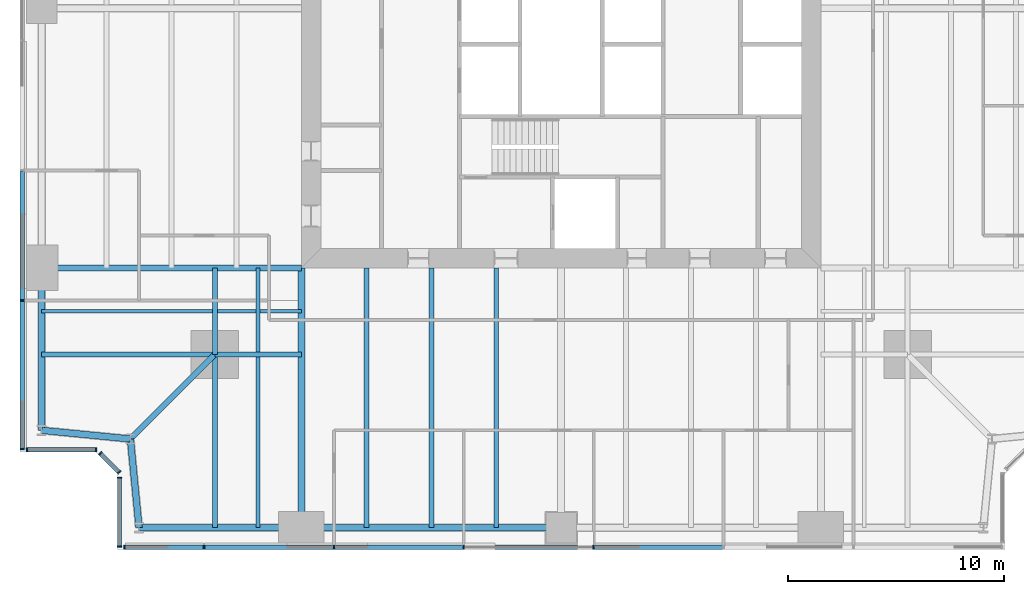
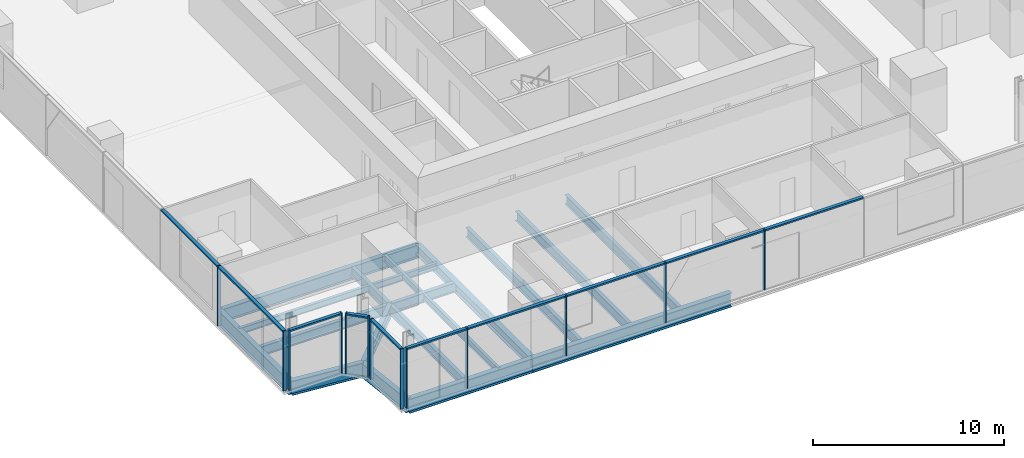
# One storey, part 2 of 13: 23 members, 20 beams, 5 elements without a shape of their own.
"""IFC4 building model written with IfcOpenShell, lengths in metres."""

from ifc_helpers import new_model, si_unit, direction, frame, origin, origin_2d, place, context, subcontext, project, spatial, rectangle, i_section, extrude, material, material_profile, profile_set, type_object, element, aggregate, save


model = new_model("IFC4")

# Units and contexts
model_context = context("Model", 3, precision=1e-05, world=origin(), true_north=direction((0.0, 1.0)))
body_context = subcontext(model_context, "Body", "Model", "MODEL_VIEW")
ifc_project = project(units=[si_unit("LENGTHUNIT", "METRE"), si_unit("AREAUNIT", "SQUARE_METRE"), si_unit("VOLUMEUNIT", "CUBIC_METRE"), si_unit("PLANEANGLEUNIT", "RADIAN"), si_unit("MASSUNIT", "GRAM", prefix="KILO")], contexts=[model_context])

# Site, building, storey
site_placement = place(None, origin())
site = spatial("IfcSite", under=ifc_project, at=site_placement, CompositionType="ELEMENT")
building_placement = place(site_placement, origin())
building = spatial("IfcBuilding", under=site, at=building_placement, Name="Fenwick Lantern Interchange", CompositionType="ELEMENT")
storey_placement = place(building_placement, frame((0.0, 0.0, 102.39990234375)))
storey = spatial("IfcBuildingStorey", under=building, at=storey_placement, Name="L23", CompositionType="ELEMENT", Elevation=102.39990234375)

# Beams
ifc_material_1 = material(Name="Steel ASTM A992 Grade 50", Category="steel")
ifc_material_profile_1 = material_profile(ifc_material_1, i_section(OverallWidth=0.3046875, OverallDepth=0.911865234375, WebThickness=0.015869140625, FlangeThickness=0.02392578125, at=origin_2d()), Name="W36X150")
ifc_profile_set_1 = profile_set([ifc_material_profile_1], Name="Steel ASTM A992 Grade 50")
beam_type_1 = type_object("IfcBeamType", Name="EDGE BEAM W36X150", PredefinedType="SPANDREL", material=ifc_profile_set_1)
beam_1_placement = place(storey_placement, frame((5.5, 1.0, -0.605712890625), z_axis=(1.0, 0.0, 0.0), x_axis=(0.0, 1.0, 0.0)))
element("IfcBeam", 1, at=beam_1_placement, inside=storey, type_object=beam_type_1, Name="L23/FR/S/EB1", PredefinedType="SPANDREL", context=body_context, shape_type="SweptSolid", body=[
    extrude(i_section(OverallWidth=0.3046875, OverallDepth=0.911865234375, WebThickness=0.015869140625, FlangeThickness=0.02392578125, at=origin_2d()), origin(), (0.0, 0.0, 1.0), 7.5),
])
beam_2_placement = place(storey_placement, frame((13.0, 1.0, -0.605712890625), z_axis=(1.0, 0.0, 0.0), x_axis=(0.0, 1.0, 0.0)))
element("IfcBeam", 2, at=beam_2_placement, inside=storey, type_object=beam_type_1, Name="L23/FR/S/EB2", PredefinedType="SPANDREL", context=body_context, shape_type="SweptSolid", body=[
    extrude(i_section(OverallWidth=0.3046875, OverallDepth=0.911865234375, WebThickness=0.015869140625, FlangeThickness=0.02392578125, at=origin_2d()), origin(), (0.0, 0.0, 1.0), 12.0),
])
beam_3_placement = place(storey_placement, frame((1.0, 13.0, -0.605712890625), z_axis=(0.0, -1.0, 0.0), x_axis=(1.0, 0.0, 0.0)))
element("IfcBeam", 3, at=beam_3_placement, inside=storey, type_object=beam_type_1, Name="L23/FR/W/EB4", PredefinedType="SPANDREL", context=body_context, shape_type="SweptSolid", body=[
    extrude(i_section(OverallWidth=0.3046875, OverallDepth=0.911865234375, WebThickness=0.015869140625, FlangeThickness=0.02392578125, at=origin_2d()), origin(), (0.0, 0.0, 1.0), 7.5),
])
for number, where, z_axis, x_axis, name in (
    (4, (1.0, 5.5, -0.605712890625), (0.995277148028, -0.097074191287, 0.0), (0.097074191287, 0.995277148028, 0.0), "L23/FR/W/EBR1"),
    (5, (5.10009765625, 5.10009765625, -0.605712890625), (0.097074191287, -0.995277148028, 0.0), (0.995277148028, 0.097074191287, 0.0), "L23/FR/W/EBR2"),
):
    element("IfcBeam", number, at=place(storey_placement, frame(where, z_axis=z_axis, x_axis=x_axis)), inside=storey, type_object=beam_type_1, Name=name, PredefinedType="SPANDREL", context=body_context, shape_type="SweptSolid", body=[
        extrude(i_section(OverallWidth=0.3046875, OverallDepth=0.911865234375, WebThickness=0.015869140625, FlangeThickness=0.02392578125, at=origin_2d()), origin(), (0.0, 0.0, 1.0), 4.11962890625),
    ])
ifc_material_profile_2 = material_profile(ifc_material_1, i_section(OverallWidth=0.22900390625, OverallDepth=0.612060546875, WebThickness=0.011962890625, FlangeThickness=0.01953125, at=origin_2d()), Name="W24X84")
ifc_profile_set_2 = profile_set([ifc_material_profile_2], Name="Steel ASTM A992 Grade 50")
beam_type_2 = type_object("IfcBeamType", Name="FLOOR BEAM W24X84", PredefinedType="BEAM", material=ifc_profile_set_2)
for number, where, z_axis, x_axis, name in (
    (6, (16.0, 1.0, -0.4560546875), (0.0, 1.0, 0.0), (-1.0, 0.0, 0.0), "L23/FR/S/R02"),
    (7, (19.0, 1.0, -0.4560546875), (0.0, 1.0, 0.0), (-1.0, 0.0, 0.0), "L23/FR/S/R03"),
    (8, (22.0, 1.0, -0.4560546875), (0.0, 1.0, 0.0), (-1.0, 0.0, 0.0), "L23/FR/S/R04"),
):
    element("IfcBeam", number, at=place(storey_placement, frame(where, z_axis=z_axis, x_axis=x_axis)), inside=storey, type_object=beam_type_2, Name=name, PredefinedType="BEAM", context=body_context, shape_type="SweptSolid", body=[
        extrude(i_section(OverallWidth=0.22900390625, OverallDepth=0.612060546875, WebThickness=0.011962890625, FlangeThickness=0.01953125, at=origin_2d()), origin(), (0.0, 0.0, 1.0), 12.0),
    ])
ifc_material_profile_3 = material_profile(ifc_material_1, i_section(OverallWidth=0.177734375, OverallDepth=0.406494140625, WebThickness=0.0078125, FlangeThickness=0.012939453125, at=origin_2d()), Name="W16X40")
ifc_profile_set_3 = profile_set([ifc_material_profile_3], Name="Steel ASTM A992 Grade 50")
beam_type_3 = type_object("IfcBeamType", Name="INFILL BEAM W16X40", PredefinedType="JOIST", material=ifc_profile_set_3)
beam_4_placement = place(storey_placement, frame((11.0, 1.0, -0.35302734375), z_axis=(0.0, 1.0, 0.0), x_axis=(-1.0, 0.0, 0.0)))
element("IfcBeam", 9, at=beam_4_placement, inside=storey, type_object=beam_type_3, Name="L23/FR/S/J1", PredefinedType="JOIST", context=body_context, shape_type="SweptSolid", body=[
    extrude(i_section(OverallWidth=0.177734375, OverallDepth=0.406494140625, WebThickness=0.0078125, FlangeThickness=0.012939453125, at=origin_2d()), origin(), (0.0, 0.0, 1.0), 7.885498046875),
])
beam_5_placement = place(storey_placement, frame((11.0, 9.114501953125, -0.35302734375), z_axis=(0.0, 1.0, 0.0), x_axis=(-1.0, 0.0, 0.0)))
element("IfcBeam", 10, at=beam_5_placement, inside=storey, type_object=beam_type_3, Name="L23/FR/S/J2", PredefinedType="JOIST", context=body_context, shape_type="SweptSolid", body=[
    extrude(i_section(OverallWidth=0.177734375, OverallDepth=0.406494140625, WebThickness=0.0078125, FlangeThickness=0.012939453125, at=origin_2d()), origin(), (0.0, 0.0, 1.0), 3.885498046875),
])
beam_6_placement = place(storey_placement, frame((1.0, 11.0, -0.35302734375), z_axis=(1.0, 0.0, 0.0), x_axis=(0.0, 1.0, 0.0)))
element("IfcBeam", 11, at=beam_6_placement, inside=storey, type_object=beam_type_3, Name="L23/FR/S/J3", PredefinedType="JOIST", context=body_context, shape_type="SweptSolid", body=[
    extrude(i_section(OverallWidth=0.177734375, OverallDepth=0.406494140625, WebThickness=0.0078125, FlangeThickness=0.012939453125, at=origin_2d()), origin(), (0.0, 0.0, 1.0), 7.885498046875),
])
beam_7_placement = place(storey_placement, frame((9.114501953125, 11.0, -0.35302734375), z_axis=(1.0, 0.0, 0.0), x_axis=(0.0, 1.0, 0.0)))
element("IfcBeam", 12, at=beam_7_placement, inside=storey, type_object=beam_type_3, Name="L23/FR/S/J4", PredefinedType="JOIST", context=body_context, shape_type="SweptSolid", body=[
    extrude(i_section(OverallWidth=0.177734375, OverallDepth=0.406494140625, WebThickness=0.0078125, FlangeThickness=0.012939453125, at=origin_2d()), origin(), (0.0, 0.0, 1.0), 1.796630859375),
])
beam_8_placement = place(storey_placement, frame((11.0888671875, 11.0, -0.35302734375), z_axis=(1.0, 0.0, 0.0), x_axis=(0.0, 1.0, 0.0)))
element("IfcBeam", 13, at=beam_8_placement, inside=storey, type_object=beam_type_3, Name="L23/FR/S/J5", PredefinedType="JOIST", context=body_context, shape_type="SweptSolid", body=[
    extrude(i_section(OverallWidth=0.177734375, OverallDepth=0.406494140625, WebThickness=0.0078125, FlangeThickness=0.012939453125, at=origin_2d()), origin(), (0.0, 0.0, 1.0), 1.9111328125),
])
ifc_material_profile_4 = material_profile(ifc_material_1, i_section(OverallWidth=0.22900390625, OverallDepth=0.612060546875, WebThickness=0.011962890625, FlangeThickness=0.01953125, at=origin_2d()), Name="W24X84")
ifc_profile_set_4 = profile_set([ifc_material_profile_4], Name="Steel ASTM A992 Grade 50")
beam_type_4 = type_object("IfcBeamType", Name="MEGA COLUMN BEAM W24X84", PredefinedType="BEAM", material=ifc_profile_set_4)
for number, where, z_axis, x_axis, name in (
    (14, (9.0, 9.0, -0.4560546875), (0.0, -1.0, 0.0), (1.0, 0.0, 0.0), "L23/FR/S/MB1"),
    (15, (9.0, 9.0, -0.4560546875), (-1.0, 0.0, 0.0), (0.0, -1.0, 0.0), "L23/FR/S/MB2"),
):
    element("IfcBeam", number, at=place(storey_placement, frame(where, z_axis=z_axis, x_axis=x_axis)), inside=storey, type_object=beam_type_4, Name=name, PredefinedType="BEAM", context=body_context, shape_type="SweptSolid", body=[
        extrude(i_section(OverallWidth=0.22900390625, OverallDepth=0.612060546875, WebThickness=0.011962890625, FlangeThickness=0.01953125, at=origin_2d()), origin(), (0.0, 0.0, 1.0), 8.0),
    ])
for number, where, z_axis, x_axis, name in (
    (16, (9.0, 9.0, -0.4560546875), (1.0, 0.0, 0.0), (0.0, 1.0, 0.0), "L23/FR/S/MB3"),
    (17, (9.0, 9.0, -0.4560546875), (0.0, 1.0, 0.0), (-1.0, 0.0, 0.0), "L23/FR/S/MB4"),
):
    element("IfcBeam", number, at=place(storey_placement, frame(where, z_axis=z_axis, x_axis=x_axis)), inside=storey, type_object=beam_type_4, Name=name, PredefinedType="BEAM", context=body_context, shape_type="SweptSolid", body=[
        extrude(i_section(OverallWidth=0.22900390625, OverallDepth=0.612060546875, WebThickness=0.011962890625, FlangeThickness=0.01953125, at=origin_2d()), origin(), (0.0, 0.0, 1.0), 4.0),
    ])
ifc_material_profile_5 = material_profile(ifc_material_1, i_section(OverallWidth=0.32763671875, OverallDepth=0.622314453125, WebThickness=0.015380859375, FlangeThickness=0.0244140625, at=origin_2d()), Name="W24X131")
ifc_profile_set_5 = profile_set([ifc_material_profile_5], Name="Steel ASTM A992 Grade 50")
beam_type_5 = type_object("IfcBeamType", Name="MOMENT-CONNECTED GIRDER W24X131", PredefinedType="BEAM", material=ifc_profile_set_5)
beam_9_placement = place(storey_placement, frame((13.0, 1.0, -0.4609375), z_axis=(0.0, 1.0, 0.0), x_axis=(-1.0, 0.0, 0.0)))
element("IfcBeam", 18, at=beam_9_placement, inside=storey, type_object=beam_type_5, Name="L23/FR/S/R01", PredefinedType="BEAM", context=body_context, shape_type="SweptSolid", body=[
    extrude(i_section(OverallWidth=0.32763671875, OverallDepth=0.622314453125, WebThickness=0.015380859375, FlangeThickness=0.0244140625, at=origin_2d()), origin(), (0.0, 0.0, 1.0), 12.0),
])
ifc_material_profile_6 = material_profile(ifc_material_1, i_section(OverallWidth=0.2919921875, OverallDepth=0.845703125, WebThickness=0.015380859375, FlangeThickness=0.0244140625, at=origin_2d()), Name="W33X141")
ifc_profile_set_6 = profile_set([ifc_material_profile_6], Name="Steel ASTM A992 Grade 50")
beam_type_6 = type_object("IfcBeamType", Name="MOMENT-CONNECTED GIRDER W33X141", PredefinedType="BEAM", material=ifc_profile_set_6)
beam_10_placement = place(storey_placement, frame((1.0, 13.0, -0.57275390625), z_axis=(1.0, 0.0, 0.0), x_axis=(0.0, 1.0, 0.0)))
element("IfcBeam", 19, at=beam_10_placement, inside=storey, type_object=beam_type_6, Name="L23/FR/W/R03", PredefinedType="BEAM", context=body_context, shape_type="SweptSolid", body=[
    extrude(i_section(OverallWidth=0.2919921875, OverallDepth=0.845703125, WebThickness=0.015380859375, FlangeThickness=0.0244140625, at=origin_2d()), origin(), (0.0, 0.0, 1.0), 12.0),
])
ifc_material_profile_7 = material_profile(ifc_material_1, i_section(OverallWidth=0.2666015625, OverallDepth=0.7568359375, WebThickness=0.013916015625, FlangeThickness=0.019287109375, at=origin_2d()), Name="W30X108")
ifc_profile_set_7 = profile_set([ifc_material_profile_7], Name="Steel ASTM A992 Grade 50")
beam_type_7 = type_object("IfcBeamType", Name="NOTCH BEAM W30X108", PredefinedType="BEAM", material=ifc_profile_set_7)
beam_11_placement = place(storey_placement, frame((9.0, 9.0, -0.5283203125), z_axis=(-0.707106781187, -0.707106781187, 0.0), x_axis=(0.707106781187, -0.707106781187, 0.0)))
element("IfcBeam", 20, at=beam_11_placement, inside=storey, type_object=beam_type_7, Name="L23/FR/S/TG", PredefinedType="BEAM", context=body_context, shape_type="SweptSolid", body=[
    extrude(i_section(OverallWidth=0.2666015625, OverallDepth=0.7568359375, WebThickness=0.013916015625, FlangeThickness=0.019287109375, at=origin_2d()), origin(), (0.0, 0.0, 1.0), 5.515380859375),
])

# Curtain wall, members
ifc_material_2 = material(Name="Aluminium curtain wall frame", Category="aluminium")
curtain_wall_type = type_object("IfcCurtainWallType", Name="OFFICE CURTAIN WALL", PredefinedType="USERDEFINED", material=ifc_material_2)
curtain_wall_1_placement = place(storey_placement, origin())
curtain_wall_1 = element("IfcCurtainWall", 21, at=curtain_wall_1_placement, inside=storey, type_object=curtain_wall_type, Name="Office curtain wall 01", ObjectType="OFFICE CURTAIN WALL", PredefinedType="USERDEFINED")
ifc_material_3 = material(Name="Aluminium extrusion", Category="aluminium")
ifc_material_profile_8 = material_profile(ifc_material_3, rectangle(XDim=0.199951171875, YDim=0.06494140625, at=origin_2d()), Name="OFFICE CURTAIN WALL MULLION 65 X 200")
ifc_profile_set_8 = profile_set([ifc_material_profile_8], Name="Aluminium extrusion")
member_type_1 = type_object("IfcMemberType", Name="OFFICE CURTAIN WALL MULLION 65 X 200", PredefinedType="MULLION", material=ifc_profile_set_8)
member_1_placement = place(storey_placement, frame((4.83251953125, 0.10009765625, 0.0), z_axis=(0.0, 0.0, 1.0), x_axis=(0.0, 1.0, 0.0)))
member_1 = element("IfcMember", 22, at=member_1_placement, type_object=member_type_1, Name="L23/CW/01/M00", PredefinedType="MULLION", context=body_context, shape_type="SweptSolid", body=[
    extrude(rectangle(XDim=0.199951171875, YDim=0.06494140625, at=origin_2d()), origin(), (0.0, 0.0, 1.0), 3.85009765625),
])
member_2_placement = place(storey_placement, frame((8.5, 0.10009765625, 0.0), z_axis=(0.0, 0.0, 1.0), x_axis=(0.0, 1.0, 0.0)))
member_2 = element("IfcMember", 23, at=member_2_placement, type_object=member_type_1, Name="L23/CW/01/M01", PredefinedType="MULLION", context=body_context, shape_type="SweptSolid", body=[
    extrude(rectangle(XDim=0.199951171875, YDim=0.06494140625, at=origin_2d()), origin(), (0.0, 0.0, 1.0), 3.85009765625),
])
member_3_placement = place(storey_placement, frame((14.5, 0.10009765625, 0.0), z_axis=(0.0, 0.0, 1.0), x_axis=(0.0, 1.0, 0.0)))
member_3 = element("IfcMember", 24, at=member_3_placement, type_object=member_type_1, Name="L23/CW/01/M02", PredefinedType="MULLION", context=body_context, shape_type="SweptSolid", body=[
    extrude(rectangle(XDim=0.199951171875, YDim=0.06494140625, at=origin_2d()), origin(), (0.0, 0.0, 1.0), 3.85009765625),
])
member_4_placement = place(storey_placement, frame((20.5, 0.10009765625, 0.0), z_axis=(0.0, 0.0, 1.0), x_axis=(0.0, 1.0, 0.0)))
member_4 = element("IfcMember", 25, at=member_4_placement, type_object=member_type_1, Name="L23/CW/01/M03", PredefinedType="MULLION", context=body_context, shape_type="SweptSolid", body=[
    extrude(rectangle(XDim=0.199951171875, YDim=0.06494140625, at=origin_2d()), origin(), (0.0, 0.0, 1.0), 3.85009765625),
])
member_5_placement = place(storey_placement, frame((26.5, 0.10009765625, 0.0), z_axis=(0.0, 0.0, 1.0), x_axis=(0.0, 1.0, 0.0)))
member_5 = element("IfcMember", 26, at=member_5_placement, type_object=member_type_1, Name="L23/CW/01/M04", PredefinedType="MULLION", context=body_context, shape_type="SweptSolid", body=[
    extrude(rectangle(XDim=0.199951171875, YDim=0.06494140625, at=origin_2d()), origin(), (0.0, 0.0, 1.0), 3.85009765625),
])

curtain_wall_2_placement = place(storey_placement, origin())
curtain_wall_2 = element("IfcCurtainWall", 27, at=curtain_wall_2_placement, inside=storey, type_object=curtain_wall_type, Name="Office curtain wall 13", ObjectType="OFFICE CURTAIN WALL", PredefinedType="USERDEFINED")
member_6_placement = place(storey_placement, frame((0.10009765625, 11.5, 0.0), z_axis=(0.0, 0.0, 1.0), x_axis=(1.0, 0.0, 0.0)))
member_6 = element("IfcMember", 28, at=member_6_placement, type_object=member_type_1, Name="L23/CW/13/M06", PredefinedType="MULLION", context=body_context, shape_type="SweptSolid", body=[
    extrude(rectangle(XDim=0.199951171875, YDim=0.06494140625, at=origin_2d()), origin(), (0.0, 0.0, 1.0), 3.85009765625),
])
member_7_placement = place(storey_placement, frame((0.10009765625, 4.632568359375, 0.0), z_axis=(0.0, 0.0, 1.0), x_axis=(1.0, 0.0, 0.0)))
member_7 = element("IfcMember", 29, at=member_7_placement, type_object=member_type_1, Name="L23/CW/13/M07", PredefinedType="MULLION", context=body_context, shape_type="SweptSolid", body=[
    extrude(rectangle(XDim=0.199951171875, YDim=0.06494140625, at=origin_2d()), origin(), (0.0, 0.0, 1.0), 3.85009765625),
])

curtain_wall_3_placement = place(storey_placement, origin())
curtain_wall_3 = element("IfcCurtainWall", 30, at=curtain_wall_3_placement, inside=storey, type_object=curtain_wall_type, Name="Office curtain wall 14", ObjectType="OFFICE CURTAIN WALL", PredefinedType="USERDEFINED")
member_8_placement = place(storey_placement, frame((0.33251953125, 4.60009765625, 0.0), z_axis=(0.0, 0.0, 1.0), x_axis=(0.0, 1.0, 0.0)))
member_8 = element("IfcMember", 31, at=member_8_placement, type_object=member_type_1, Name="L23/CW/14/M00", PredefinedType="MULLION", context=body_context, shape_type="SweptSolid", body=[
    extrude(rectangle(XDim=0.199951171875, YDim=0.06494140625, at=origin_2d()), origin(), (0.0, 0.0, 1.0), 3.85009765625),
])
member_9_placement = place(storey_placement, frame((3.509033203125, 4.60009765625, 0.0), z_axis=(0.0, 0.0, 1.0), x_axis=(0.0, 1.0, 0.0)))
member_9 = element("IfcMember", 32, at=member_9_placement, type_object=member_type_1, Name="L23/CW/14/M01", PredefinedType="MULLION", context=body_context, shape_type="SweptSolid", body=[
    extrude(rectangle(XDim=0.199951171875, YDim=0.06494140625, at=origin_2d()), origin(), (0.0, 0.0, 1.0), 3.85009765625),
])

curtain_wall_4_placement = place(storey_placement, origin())
curtain_wall_4 = element("IfcCurtainWall", 33, at=curtain_wall_4_placement, inside=storey, type_object=curtain_wall_type, Name="Office curtain wall 15", ObjectType="OFFICE CURTAIN WALL", PredefinedType="USERDEFINED")
member_10_placement = place(storey_placement, frame((3.705810546875, 4.435546875, 0.0), z_axis=(0.0, 0.0, 1.0), x_axis=(0.707106781187, 0.707106781187, 0.0)))
member_10 = element("IfcMember", 34, at=member_10_placement, type_object=member_type_1, Name="L23/CW/15/M00", PredefinedType="MULLION", context=body_context, shape_type="SweptSolid", body=[
    extrude(rectangle(XDim=0.199951171875, YDim=0.06494140625, at=origin_2d()), origin(), (0.0, 0.0, 1.0), 3.85009765625),
])
member_11_placement = place(storey_placement, frame((4.576904296875, 3.564453125, 0.0), z_axis=(0.0, 0.0, 1.0), x_axis=(0.707106781187, 0.707106781187, 0.0)))
member_11 = element("IfcMember", 35, at=member_11_placement, type_object=member_type_1, Name="L23/CW/15/M01", PredefinedType="MULLION", context=body_context, shape_type="SweptSolid", body=[
    extrude(rectangle(XDim=0.199951171875, YDim=0.06494140625, at=origin_2d()), origin(), (0.0, 0.0, 1.0), 3.85009765625),
])

curtain_wall_5_placement = place(storey_placement, origin())
curtain_wall_5 = element("IfcCurtainWall", 36, at=curtain_wall_5_placement, inside=storey, type_object=curtain_wall_type, Name="Office curtain wall 16", ObjectType="OFFICE CURTAIN WALL", PredefinedType="USERDEFINED")
member_12_placement = place(storey_placement, frame((4.60009765625, 3.308837890625, 0.0), z_axis=(0.0, 0.0, 1.0), x_axis=(1.0, 0.0, 0.0)))
member_12 = element("IfcMember", 37, at=member_12_placement, type_object=member_type_1, Name="L23/CW/16/M00", PredefinedType="MULLION", context=body_context, shape_type="SweptSolid", body=[
    extrude(rectangle(XDim=0.199951171875, YDim=0.06494140625, at=origin_2d()), origin(), (0.0, 0.0, 1.0), 3.85009765625),
])
member_13_placement = place(storey_placement, frame((4.60009765625, 0.132568359375, 0.0), z_axis=(0.0, 0.0, 1.0), x_axis=(1.0, 0.0, 0.0)))
member_13 = element("IfcMember", 38, at=member_13_placement, type_object=member_type_1, Name="L23/CW/16/M01", PredefinedType="MULLION", context=body_context, shape_type="SweptSolid", body=[
    extrude(rectangle(XDim=0.199951171875, YDim=0.06494140625, at=origin_2d()), origin(), (0.0, 0.0, 1.0), 3.85009765625),
])

# Member
ifc_material_profile_9 = material_profile(ifc_material_3, rectangle(XDim=0.199951171875, YDim=0.10009765625, at=origin_2d()), Name="OFFICE CURTAIN WALL TRANSOM 100 X 200")
ifc_profile_set_9 = profile_set([ifc_material_profile_9], Name="Aluminium extrusion")
member_type_2 = type_object("IfcMemberType", Name="OFFICE CURTAIN WALL TRANSOM 100 X 200", PredefinedType="MULLION", material=ifc_profile_set_9)
member_14_placement = place(storey_placement, frame((4.864990234375, 0.10009765625, 3.800048828125), z_axis=(1.0, 0.0, 0.0), x_axis=(0.0, 1.0, 0.0)))
member_14 = element("IfcMember", 39, at=member_14_placement, type_object=member_type_2, Name="L23/CW/01/T00", PredefinedType="MULLION", context=body_context, shape_type="SweptSolid", body=[
    extrude(rectangle(XDim=0.199951171875, YDim=0.10009765625, at=origin_2d()), origin(), (0.0, 0.0, 1.0), 3.6025390625),
])

member_15_placement = place(storey_placement, frame((8.532470703125, 0.10009765625, 3.800048828125), z_axis=(1.0, 0.0, 0.0), x_axis=(0.0, 1.0, 0.0)))
member_15 = element("IfcMember", 40, at=member_15_placement, type_object=member_type_2, Name="L23/CW/01/T01", PredefinedType="MULLION", context=body_context, shape_type="SweptSolid", body=[
    extrude(rectangle(XDim=0.199951171875, YDim=0.10009765625, at=origin_2d()), origin(), (0.0, 0.0, 1.0), 5.93505859375),
])

member_16_placement = place(storey_placement, frame((14.532470703125, 0.10009765625, 3.800048828125), z_axis=(1.0, 0.0, 0.0), x_axis=(0.0, 1.0, 0.0)))
member_16 = element("IfcMember", 41, at=member_16_placement, type_object=member_type_2, Name="L23/CW/01/T02", PredefinedType="MULLION", context=body_context, shape_type="SweptSolid", body=[
    extrude(rectangle(XDim=0.199951171875, YDim=0.10009765625, at=origin_2d()), origin(), (0.0, 0.0, 1.0), 5.93505859375),
])

member_17_placement = place(storey_placement, frame((20.532470703125, 0.10009765625, 3.800048828125), z_axis=(1.0, 0.0, 0.0), x_axis=(0.0, 1.0, 0.0)))
member_17 = element("IfcMember", 42, at=member_17_placement, type_object=member_type_2, Name="L23/CW/01/T03", PredefinedType="MULLION", context=body_context, shape_type="SweptSolid", body=[
    extrude(rectangle(XDim=0.199951171875, YDim=0.10009765625, at=origin_2d()), origin(), (0.0, 0.0, 1.0), 5.93505859375),
])

member_18_placement = place(storey_placement, frame((26.532470703125, 0.10009765625, 3.800048828125), z_axis=(1.0, 0.0, 0.0), x_axis=(0.0, 1.0, 0.0)))
member_18 = element("IfcMember", 43, at=member_18_placement, type_object=member_type_2, Name="L23/CW/01/T04", PredefinedType="MULLION", context=body_context, shape_type="SweptSolid", body=[
    extrude(rectangle(XDim=0.199951171875, YDim=0.10009765625, at=origin_2d()), origin(), (0.0, 0.0, 1.0), 5.93505859375),
])

aggregate(curtain_wall_1, [member_1, member_2, member_3, member_4, member_5, member_14, member_15, member_16, member_17, member_18])

member_19_placement = place(storey_placement, frame((0.10009765625, 17.467529296875, 3.800048828125), z_axis=(0.0, -1.0, 0.0), x_axis=(1.0, 0.0, 0.0)))
member_19 = element("IfcMember", 44, at=member_19_placement, type_object=member_type_2, Name="L23/CW/13/T05", PredefinedType="MULLION", context=body_context, shape_type="SweptSolid", body=[
    extrude(rectangle(XDim=0.199951171875, YDim=0.10009765625, at=origin_2d()), origin(), (0.0, 0.0, 1.0), 5.93505859375),
])

member_20_placement = place(storey_placement, frame((0.10009765625, 11.467529296875, 3.800048828125), z_axis=(0.0, -1.0, 0.0), x_axis=(1.0, 0.0, 0.0)))
member_20 = element("IfcMember", 45, at=member_20_placement, type_object=member_type_2, Name="L23/CW/13/T06", PredefinedType="MULLION", context=body_context, shape_type="SweptSolid", body=[
    extrude(rectangle(XDim=0.199951171875, YDim=0.10009765625, at=origin_2d()), origin(), (0.0, 0.0, 1.0), 6.802490234375),
])

aggregate(curtain_wall_2, [member_6, member_7, member_19, member_20])

member_21_placement = place(storey_placement, frame((0.364990234375, 4.60009765625, 3.800048828125), z_axis=(1.0, 0.0, 0.0), x_axis=(0.0, 1.0, 0.0)))
member_21 = element("IfcMember", 46, at=member_21_placement, type_object=member_type_2, Name="L23/CW/14/T00", PredefinedType="MULLION", context=body_context, shape_type="SweptSolid", body=[
    extrude(rectangle(XDim=0.199951171875, YDim=0.10009765625, at=origin_2d()), origin(), (0.0, 0.0, 1.0), 3.111328125),
])

aggregate(curtain_wall_3, [member_8, member_9, member_21])

member_22_placement = place(storey_placement, frame((3.728759765625, 4.41259765625, 3.800048828125), z_axis=(0.707106781187, -0.707106781187, 0.0), x_axis=(0.707106781187, 0.707106781187, 0.0)))
member_22 = element("IfcMember", 47, at=member_22_placement, type_object=member_type_2, Name="L23/CW/15/T00", PredefinedType="MULLION", context=body_context, shape_type="SweptSolid", body=[
    extrude(rectangle(XDim=0.199951171875, YDim=0.10009765625, at=origin_2d()), origin(), (0.0, 0.0, 1.0), 1.1669921875),
])

aggregate(curtain_wall_4, [member_10, member_11, member_22])

member_23_placement = place(storey_placement, frame((4.60009765625, 3.2763671875, 3.800048828125), z_axis=(0.0, -1.0, 0.0), x_axis=(1.0, 0.0, 0.0)))
member_23 = element("IfcMember", 48, at=member_23_placement, type_object=member_type_2, Name="L23/CW/16/T00", PredefinedType="MULLION", context=body_context, shape_type="SweptSolid", body=[
    extrude(rectangle(XDim=0.199951171875, YDim=0.10009765625, at=origin_2d()), origin(), (0.0, 0.0, 1.0), 3.111328125),
])

aggregate(curtain_wall_5, [member_12, member_13, member_23])

save(model, "model.ifc")
